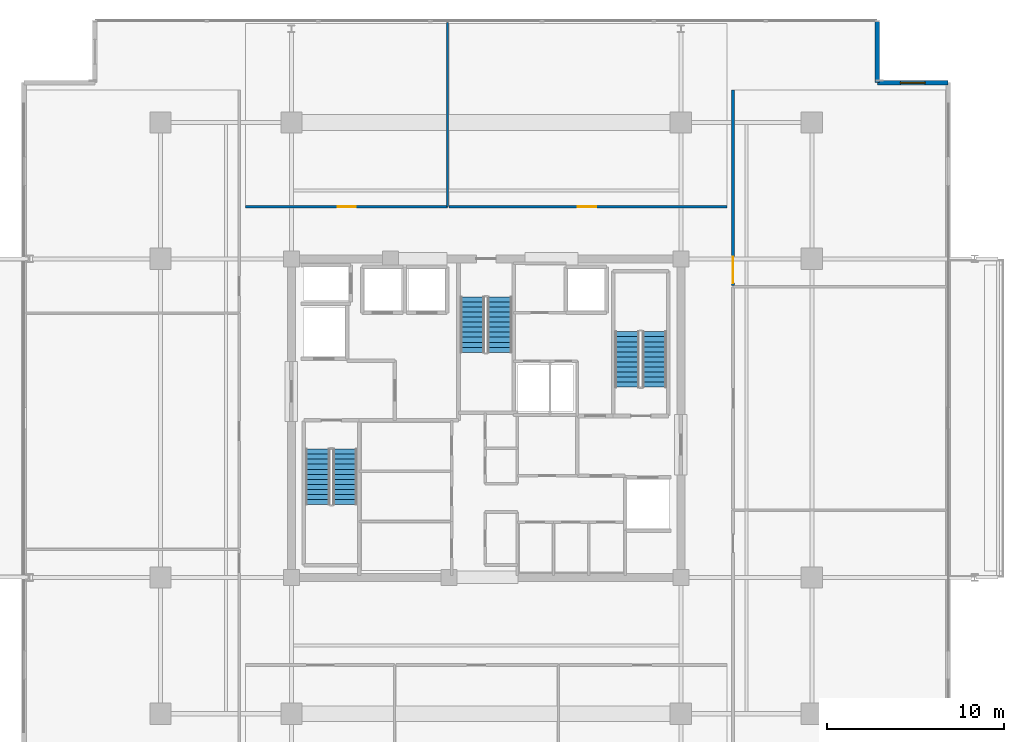
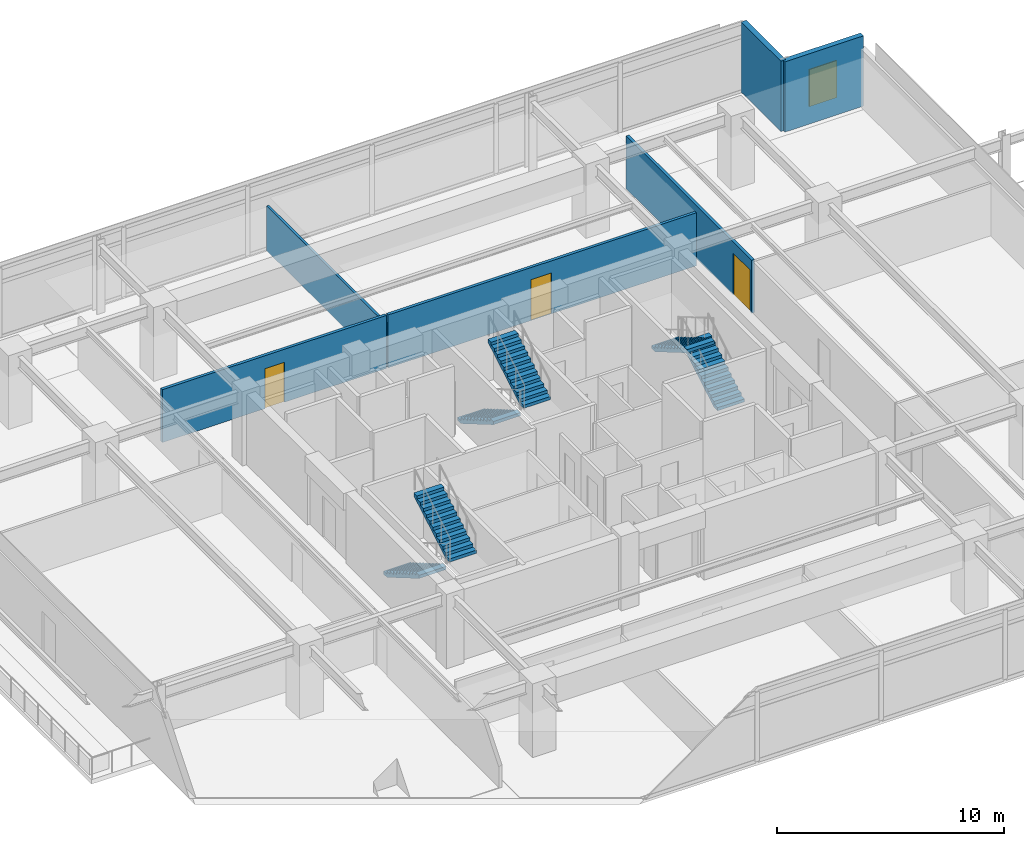
# One storey, part 20 of 24: 6 stair flights, 6 walls, 3 doors, 1 window, 4 openings, 3 elements without a shape of their own.
"""IFC4 building model written with IfcOpenShell, lengths in metres."""

import ifcopenshell
import ifcopenshell.guid

model = None  # the IFC model being written
_history = None  # IfcOwnerHistory: only IFC2X3 demands one
_inside = {}  # id of a spatial element -> (the spatial element, [elements in it])
_under = {}  # id of a project, library or spatial element -> (it, [spatial elements below it])
_declared = {}  # id of a project -> (the project, [libraries it declares])
_typed = {}  # id of a type object -> (the type object, [elements of that type])
_made_of = {}  # id of a material, layer set ... -> (it, [elements and type objects made of it])


def new_model(schema):
    """Start an empty IFC model of exactly this schema.

    Asked for "IFC4X3", IfcOpenShell would pick the latest addendum, in which some entities
    have other attributes; the version numbers below select the first issue.
    IFC2X3 requires an IfcOwnerHistory on every rooted entity: one is made here for all.
    """
    global model, _history
    if schema == "IFC4X3":
        model = ifcopenshell.file(schema_version=(4, 3, 0, 0))
    else:
        model = ifcopenshell.file(schema=schema)
    _inside.clear()
    _under.clear()
    _declared.clear()
    _typed.clear()
    _made_of.clear()
    _history = None
    if model.schema == "IFC2X3":
        org = make("IfcOrganization", Name="unknown")
        user = make(
            "IfcPersonAndOrganization",
            ThePerson=make("IfcPerson", FamilyName="unknown"),
            TheOrganization=org,
        )
        app = make(
            "IfcApplication",
            ApplicationDeveloper=org,
            Version="unknown",
            ApplicationFullName="unknown",
            ApplicationIdentifier="unknown",
        )
        _history = make(
            "IfcOwnerHistory",
            OwningUser=user,
            OwningApplication=app,
            ChangeAction="ADDED",
            CreationDate=0,
        )
    return model


def make(cls, **values):
    """One entity of the class cls with the attributes given. An attribute that is None is left unset."""
    return model.create_entity(
        cls, **{name: value for name, value in values.items() if value is not None}
    )


def rooted(cls, **values):
    """An entity with a GlobalId (a new one), such as an element, a storey or a relation."""
    return make(cls, GlobalId=ifcopenshell.guid.new(), OwnerHistory=_history, **values)


def si_unit(unit_type, name, prefix=None):
    """IfcSIUnit, for example si_unit("LENGTHUNIT", "METRE", prefix="MILLI")."""
    return make("IfcSIUnit", UnitType=unit_type, Prefix=prefix, Name=name)


def assignment(units):
    """IfcUnitAssignment: the units of a project."""
    return None if units is None else make("IfcUnitAssignment", Units=units)


def point(xyz):
    """IfcCartesianPoint."""
    return None if xyz is None else make("IfcCartesianPoint", Coordinates=xyz)


def direction(xyz):
    """IfcDirection."""
    return None if xyz is None else make("IfcDirection", DirectionRatios=xyz)


def frame(location, z_axis=None, x_axis=None):
    """IfcAxis2Placement3D, a coordinate frame: its origin and axes. An axis left out is left unset."""
    return make(
        "IfcAxis2Placement3D",
        Location=point(location),
        Axis=direction(z_axis),
        RefDirection=direction(x_axis),
    )


def frame_2d(location, x_axis=None):
    """IfcAxis2Placement2D, a coordinate frame in the plane: its origin and x axis."""
    return make(
        "IfcAxis2Placement2D", Location=point(location), RefDirection=direction(x_axis)
    )


def origin():
    """The frame at (0, 0, 0) with its axes left unset."""
    return frame((0.0, 0.0, 0.0))


def place(relative_to, where):
    """IfcLocalPlacement: puts the frame where relative to a parent placement (None: the world)."""
    return make(
        "IfcLocalPlacement", PlacementRelTo=relative_to, RelativePlacement=where
    )


def context(
    kind, dimensions, precision=None, world=None, true_north=None, identifier=None
):
    """IfcGeometricRepresentationContext, for example the 3D "Model" context."""
    return make(
        "IfcGeometricRepresentationContext",
        ContextIdentifier=identifier,
        ContextType=kind,
        CoordinateSpaceDimension=dimensions,
        Precision=precision,
        WorldCoordinateSystem=world,
        TrueNorth=true_north,
    )


def subcontext(parent, identifier, kind, view, scale=None):
    """IfcGeometricRepresentationSubContext, for example "Body" below "Model"."""
    return make(
        "IfcGeometricRepresentationSubContext",
        ContextIdentifier=identifier,
        ContextType=kind,
        ParentContext=parent,
        TargetScale=scale,
        TargetView=view,
    )


def project(units=None, contexts=None):
    """IfcProject with its units and contexts."""
    return rooted(
        "IfcProject",
        Name="project",
        RepresentationContexts=contexts,
        UnitsInContext=assignment(units),
    )


def spatial(cls, under=None, at=None, **own):
    """A site, building, storey or space (cls), placed at a placement, below another one or the project."""
    s = rooted(cls, ObjectPlacement=at, **own)
    if under is not None:
        _under.setdefault(under.id(), (under, []))[1].append(s)
    return s


def polyline(points):
    """IfcPolyline through the points."""
    return make("IfcPolyline", Points=[point(p) for p in points])


def profile(cls, at=None, kind="AREA", **sizes):
    """A parametric profile (cls). Its sizes go by their IFC names, for example OverallWidth=200.0."""
    return make(cls, ProfileType=kind, Position=at, **sizes)


def rectangle(**sizes):
    """IfcRectangleProfileDef."""
    return profile("IfcRectangleProfileDef", **sizes)


def outline(outer, holes=None, kind="AREA"):
    """IfcArbitraryClosedProfileDef: a profile drawn as a closed curve; with holes, ...WithVoids."""
    if holes is None:
        return make("IfcArbitraryClosedProfileDef", ProfileType=kind, OuterCurve=outer)
    return make(
        "IfcArbitraryProfileDefWithVoids",
        ProfileType=kind,
        OuterCurve=outer,
        InnerCurves=holes,
    )


def extrude(swept, where, along, depth):
    """IfcExtrudedAreaSolid: the profile swept, set in the frame where, extruded along a direction by depth."""
    return make(
        "IfcExtrudedAreaSolid",
        SweptArea=swept,
        Position=where,
        ExtrudedDirection=direction(along),
        Depth=depth,
    )


def shape(context_of_items, identifier, shape_type, items):
    """IfcShapeRepresentation: the items that make up one representation, for example the "Body"."""
    return make(
        "IfcShapeRepresentation",
        ContextOfItems=context_of_items,
        RepresentationIdentifier=identifier,
        RepresentationType=shape_type,
        Items=items,
    )


def material(Name=None, Category=None):
    """IfcMaterial."""
    return make("IfcMaterial", Name=Name, Category=Category)


def layer(
    of_material, thickness, ventilated=None, Name=None, Category=None, Priority=None
):
    """IfcMaterialLayer: one layer of a wall or slab, of a material (None: an air gap)."""
    return make(
        "IfcMaterialLayer",
        Material=of_material,
        LayerThickness=thickness,
        IsVentilated=ventilated,
        Name=Name,
        Category=Category,
        Priority=Priority,
    )


def layer_set(layers, Name=None):
    """IfcMaterialLayerSet."""
    return make("IfcMaterialLayerSet", MaterialLayers=layers, LayerSetName=Name)


def made_of(thing, what):
    """Note that an element or type object is made of a material, layer set ...; save() writes the relation."""
    if what is not None:
        _made_of.setdefault(what.id(), (what, []))[1].append(thing)
    return thing


def type_object(cls, material=None, **own):
    """A type object (cls), such as IfcWallType, which elements share."""
    return made_of(rooted(cls, **own), material)


def element(
    cls,
    number,
    at=None,
    inside=None,
    cuts=None,
    type_object=None,
    material=None,
    context=None,
    identifier="Body",
    shape_type=None,
    held_by="IfcProductDefinitionShape",
    body=None,
    shapes=None,
    **own,
):
    """One element of the class cls, such as IfcWall. Its Tag is "e" and its number.

    at: its placement. inside: the storey or other place that contains it. cuts: it is an
    opening in that element (IfcRelVoidsElement). A single representation is given by context,
    identifier, shape_type and body (its items); several are given by shapes. held_by: the class
    of the entity that holds the representations. save() writes the other relations.
    """
    e = rooted(cls, Tag="e%d" % number, ObjectPlacement=at, **own)
    if body is not None:
        shapes = [shape(context, identifier, shape_type, body)]
    if shapes is not None:
        e.Representation = make(held_by, Representations=shapes)
    if inside is not None:
        _inside.setdefault(inside.id(), (inside, []))[1].append(e)
    if cuts is not None:
        rooted(
            "IfcRelVoidsElement", RelatingBuildingElement=cuts, RelatedOpeningElement=e
        )
    if type_object is not None:
        _typed.setdefault(type_object.id(), (type_object, []))[1].append(e)
    return made_of(e, material)


def fill(opening, filler):
    """IfcRelFillsElement: the door or window that sits in an opening."""
    return rooted(
        "IfcRelFillsElement",
        RelatingOpeningElement=opening,
        RelatedBuildingElement=filler,
    )


def aggregate(whole, parts):
    """IfcRelAggregates: a whole, such as a stair, and the parts it consists of."""
    return rooted("IfcRelAggregates", RelatingObject=whole, RelatedObjects=parts)


def save(model, path):
    """Write the relations noted so far, then the file.

    IfcRelAggregates (storeys below a building ...), IfcRelContainedInSpatialStructure (elements
    in a storey), IfcRelDefinesByType, IfcRelAssociatesMaterial and IfcRelDeclares: one each for
    every whole, place, type object, material and project.
    """
    for whole, parts in _under.values():
        aggregate(whole, parts)
    for where, things in _inside.values():
        rooted(
            "IfcRelContainedInSpatialStructure",
            RelatedElements=things,
            RelatingStructure=where,
        )
    for kind, things in _typed.values():
        rooted("IfcRelDefinesByType", RelatedObjects=things, RelatingType=kind)
    for what, things in _made_of.values():
        rooted("IfcRelAssociatesMaterial", RelatedObjects=things, RelatingMaterial=what)
    for by, libraries in _declared.values():
        rooted("IfcRelDeclares", RelatingContext=by, RelatedDefinitions=libraries)
    model.write(path)


model = new_model("IFC4")

# Units and contexts
model_context = context("Model", 3, precision=1e-05, world=origin(), true_north=direction((0.0, 1.0)))
body_context = subcontext(model_context, "Body", "Model", "MODEL_VIEW")
ifc_project = project(units=[si_unit("LENGTHUNIT", "METRE"), si_unit("AREAUNIT", "SQUARE_METRE"), si_unit("VOLUMEUNIT", "CUBIC_METRE"), si_unit("PLANEANGLEUNIT", "RADIAN"), si_unit("MASSUNIT", "GRAM", prefix="KILO")], contexts=[model_context])

# Site, building, storey
site_placement = place(None, origin())
site = spatial("IfcSite", under=ifc_project, at=site_placement, CompositionType="ELEMENT")
building_placement = place(site_placement, origin())
building = spatial("IfcBuilding", under=site, at=building_placement, Name="Kovane Verandah Tower", CompositionType="ELEMENT")
storey_placement = place(building_placement, frame((0.0, 0.0, 271.199951171875)))
storey = spatial("IfcBuildingStorey", under=building, at=storey_placement, Name="L63", CompositionType="ELEMENT", Elevation=271.199951171875)

# Wall, opening, door
ifc_material_1 = material(Name="Fire-Rated Gypsum Stud Partition", Category="gypsum")
ifc_layer_1 = layer(ifc_material_1, 0.14990234375)
ifc_layer_set_1 = layer_set([ifc_layer_1], Name="Fire-Rated Gypsum Stud Partition")
wall_type_1 = type_object("IfcWallType", Name="WL-COR-150", PredefinedType="PARTITIONING", material=ifc_layer_set_1)
wall_1_placement = place(storey_placement, frame((26.39990234375, 39.449951171875, 0.0), z_axis=(0.0, 0.0, 1.0), x_axis=(1.0, 0.0, 0.0)))
wall_1 = element("IfcWall", 1, at=wall_1_placement, inside=storey, type_object=wall_type_1, Name="L63 Open Plan Office N1 Corridor Partition", PredefinedType="PARTITIONING", context=body_context, shape_type="SweptSolid", body=[
    extrude(rectangle(XDim=11.424072265625, YDim=0.14990234375, at=frame_2d((5.7119140625, 0.0))), origin(), (0.0, 0.0, 1.0), 2.85009765625),
])
opening_1_placement = place(wall_1_placement, frame((5.22705078125, 0.0, 0.0)))
opening_1 = element("IfcOpeningElement", 2, at=opening_1_placement, cuts=wall_1, Name="Opening DR-L63-024", PredefinedType="OPENING", context=body_context, shape_type="SweptSolid", body=[
    extrude(rectangle(XDim=1.0, YDim=2.14990234375, at=frame_2d((0.5, 1.074951171875))), frame((0.0, 0.074951171875, 0.0), z_axis=(0.0, -1.0, 0.0), x_axis=(1.0, 0.0, 0.0)), (0.0, 0.0, 1.0), 0.14990234375),
])
ifc_material_2 = material(Name="FSC Spotted-Gum Timber Fire-Rated Office Door", Category="wood")
door_type_1 = type_object("IfcDoorType", Name="DR-OFF-1000", OperationType="SINGLE_SWING_LEFT", PredefinedType="DOOR", material=ifc_material_2)
door_1_placement = place(opening_1_placement, origin())
door_1 = element("IfcDoor", 3, at=door_1_placement, inside=storey, type_object=door_type_1, Name="L63 Open Plan Office N1 Entrance Door", OperationType="SINGLE_SWING_RIGHT", OverallHeight=2.14990234375, OverallWidth=1.0, PredefinedType="DOOR", context=body_context, shape_type="SweptSolid", body=[
    extrude(rectangle(XDim=1.0, YDim=2.14990234375, at=frame_2d((0.5, 1.074951171875))), frame((0.0, 0.02490234375, 0.0), z_axis=(0.0, -1.0, 0.0), x_axis=(1.0, 0.0, 0.0)), (0.0, 0.0, 1.0), 0.050048828125),
])
fill(opening_1, door_1)

wall_2_placement = place(storey_placement, frame((37.89404296875, 39.449951171875, 0.0), z_axis=(0.0, 0.0, 1.0), x_axis=(1.0, 0.0, 0.0)))
wall_2 = element("IfcWall", 4, at=wall_2_placement, inside=storey, type_object=wall_type_1, Name="L63 Executive Office N2 Corridor Partition", PredefinedType="PARTITIONING", context=body_context, shape_type="SweptSolid", body=[
    extrude(rectangle(XDim=15.7060546875, YDim=0.14990234375, at=frame_2d((7.85302734375, 0.0))), origin(), (0.0, 0.0, 1.0), 2.85009765625),
])
opening_2_placement = place(wall_2_placement, frame((7.278076171875, 0.0, 0.0)))
opening_2 = element("IfcOpeningElement", 5, at=opening_2_placement, cuts=wall_2, Name="Opening DR-L63-025", PredefinedType="OPENING", context=body_context, shape_type="SweptSolid", body=[
    extrude(rectangle(XDim=1.050048828125, YDim=2.199951171875, at=frame_2d((0.52490234375, 1.10009765625))), frame((0.0, 0.074951171875, 0.0), z_axis=(0.0, -1.0, 0.0), x_axis=(1.0, 0.0, 0.0)), (0.0, 0.0, 1.0), 0.14990234375),
])
ifc_material_3 = material(Name="FSC Blackbutt Timber Fire-Rated Executive Door", Category="wood")
door_type_2 = type_object("IfcDoorType", Name="DR-EXEC-1050", OperationType="SINGLE_SWING_LEFT", PredefinedType="DOOR", material=ifc_material_3)
door_2_placement = place(opening_2_placement, origin())
door_2 = element("IfcDoor", 6, at=door_2_placement, inside=storey, type_object=door_type_2, Name="L63 Executive Office N2 Entrance Door", OperationType="SINGLE_SWING_LEFT", OverallHeight=2.199951171875, OverallWidth=1.050048828125, PredefinedType="DOOR", context=body_context, shape_type="SweptSolid", body=[
    extrude(rectangle(XDim=1.050048828125, YDim=2.199951171875, at=frame_2d((0.52490234375, 1.10009765625))), frame((0.0, 0.02490234375, 0.0), z_axis=(0.0, -1.0, 0.0), x_axis=(1.0, 0.0, 0.0)), (0.0, 0.0, 1.0), 0.050048828125),
])
fill(opening_2, door_2)

wall_3_placement = place(storey_placement, frame((53.949951171875, 34.98974609375, 0.0), z_axis=(0.0, 0.0, 1.0), x_axis=(0.0, 1.0, 0.0)))
wall_3 = element("IfcWall", 7, at=wall_3_placement, inside=storey, type_object=wall_type_1, Name="L63 Client Boardroom E3 Corridor Partition", PredefinedType="PARTITIONING", context=body_context, shape_type="SweptSolid", body=[
    extrude(rectangle(XDim=11.059814453125, YDim=0.14990234375, at=frame_2d((5.52978515625, 0.0))), origin(), (0.0, 0.0, 1.0), 2.85009765625),
])
opening_3_placement = place(wall_3_placement, frame((0.139892578125, 0.0, 0.0)))
opening_3 = element("IfcOpeningElement", 8, at=opening_3_placement, cuts=wall_3, Name="Opening DR-L63-013", PredefinedType="OPENING", context=body_context, shape_type="SweptSolid", body=[
    extrude(rectangle(XDim=1.5, YDim=2.25, at=frame_2d((0.75, 1.125))), frame((0.0, 0.074951171875, 0.0), z_axis=(0.0, -1.0, 0.0), x_axis=(1.0, 0.0, 0.0)), (0.0, 0.0, 1.0), 0.14990234375),
])
ifc_material_4 = material(Name="Glazed Timber Fire-Rated Double Door", Category="wood")
door_type_3 = type_object("IfcDoorType", Name="DR-CONF-1500", OperationType="DOUBLE_DOOR_SINGLE_SWING", PredefinedType="DOOR", material=ifc_material_4)
door_3_placement = place(opening_3_placement, origin())
door_3 = element("IfcDoor", 9, at=door_3_placement, inside=storey, type_object=door_type_3, Name="L63 Client Boardroom E3 Entrance Door", OperationType="DOUBLE_DOOR_SINGLE_SWING", OverallHeight=2.25, OverallWidth=1.5, PredefinedType="DOOR", context=body_context, shape_type="SweptSolid", body=[
    extrude(rectangle(XDim=1.5, YDim=2.25, at=frame_2d((0.75, 1.125))), frame((0.0, 0.02490234375, 0.0), z_axis=(0.0, -1.0, 0.0), x_axis=(1.0, 0.0, 0.0)), (0.0, 0.0, 1.0), 0.050048828125),
])
fill(opening_3, door_3)

# Wall
ifc_material_5 = material(Name="Acoustic Fire-Rated Gypsum Partition", Category="gypsum")
ifc_layer_2 = layer(ifc_material_5, 0.1201171875)
ifc_layer_set_2 = layer_set([ifc_layer_2], Name="Acoustic Fire-Rated Gypsum Partition")
wall_type_2 = type_object("IfcWallType", Name="WL-PART-120", PredefinedType="PARTITIONING", material=ifc_layer_set_2)
wall_4_placement = place(storey_placement, frame((37.823974609375, 39.449951171875, 0.0), z_axis=(0.0, 0.0, 1.0), x_axis=(0.0, 1.0, 0.0)))
element("IfcWall", 10, at=wall_4_placement, inside=storey, type_object=wall_type_2, Name="L63 Open Plan Office N1 Dividing Partition", PredefinedType="PARTITIONING", context=body_context, shape_type="SweptSolid", body=[
    extrude(rectangle(XDim=10.399658203125, YDim=0.1201171875, at=frame_2d((5.19970703125, 0.0))), origin(), (0.0, 0.0, 1.0), 2.4150390625),
])

# Wall, opening, window
ifc_material_6 = material(Name="Concrete C45/55 Insulated Spandrel Wall", Category="concrete")
ifc_layer_3 = layer(ifc_material_6, 0.260009765625)
ifc_layer_set_3 = layer_set([ifc_layer_3], Name="Concrete C45/55 Insulated Spandrel Wall")
wall_type_3 = type_object("IfcWallType", Name="WL-SPANDREL-260", PredefinedType="PARAPET", material=ifc_layer_set_3)
wall_5_placement = place(storey_placement, frame((66.107177734375, 46.44970703125, 0.0), z_axis=(0.0, 0.0, 1.0), x_axis=(-1.0, 0.0, 0.0)))
wall_5 = element("IfcWall", 11, at=wall_5_placement, inside=storey, type_object=wall_type_3, Name="L63 NE Notch Cheek Wall 1", PredefinedType="PARAPET", context=body_context, shape_type="SweptSolid", body=[
    extrude(rectangle(XDim=4.0, YDim=0.260009765625, at=frame_2d((2.0, 0.0))), origin(), (0.0, 0.0, 1.0), 3.78515625),
])
opening_4_placement = place(wall_5_placement, frame((1.300048828125, 0.0, 0.85009765625)))
opening_4 = element("IfcOpeningElement", 12, at=opening_4_placement, cuts=wall_5, Name="Opening W-01", PredefinedType="OPENING", context=body_context, shape_type="SweptSolid", body=[
    extrude(rectangle(XDim=1.39990234375, YDim=2.0, at=frame_2d((0.699951171875, 1.0))), frame((0.0, 0.1298828125, 0.0), z_axis=(0.0, -1.0, 0.0), x_axis=(1.0, 0.0, 0.0)), (0.0, 0.0, 1.0), 0.260009765625),
])
ifc_material_7 = material(Name="Clear Low-E Laminated Double Glazing in Anodised Frame", Category="glass")
window_type = type_object("IfcWindowType", Name="WN-OPER-1400x2000", PartitioningType="SINGLE_PANEL", PredefinedType="WINDOW", material=ifc_material_7)
window_placement = place(opening_4_placement, origin())
window = element("IfcWindow", 13, at=window_placement, inside=storey, type_object=window_type, Name="L63 NE Re-Entrant Corner Operable Window", OverallHeight=2.0, OverallWidth=1.39990234375, PartitioningType="SINGLE_PANEL", PredefinedType="WINDOW", context=body_context, shape_type="SweptSolid", body=[
    extrude(rectangle(XDim=1.39990234375, YDim=2.0, at=frame_2d((0.699951171875, 1.0))), frame((0.0, 0.030029296875, 0.0), z_axis=(0.0, -1.0, 0.0), x_axis=(1.0, 0.0, 0.0)), (0.0, 0.0, 1.0), 0.06005859375),
])
fill(opening_4, window)

# Wall
wall_6_placement = place(storey_placement, frame((62.107177734375, 46.44970703125, 0.0), z_axis=(0.0, 0.0, 1.0), x_axis=(0.0, 1.0, 0.0)))
element("IfcWall", 14, at=wall_6_placement, inside=storey, type_object=wall_type_3, Name="L63 NE Notch Cheek Wall 2", PredefinedType="PARAPET", context=body_context, shape_type="SweptSolid", body=[
    extrude(rectangle(XDim=3.5, YDim=0.260009765625, at=frame_2d((1.75, 0.0))), origin(), (0.0, 0.0, 1.0), 3.78515625),
])

# Stair, stair flights
ifc_material_8 = material(Name="Concrete C45/55", Category="concrete")
stair_type = type_object("IfcStairType", Name="ST-CORE-1380", PredefinedType="HALF_TURN_STAIR", material=ifc_material_8)
stair_1_placement = place(storey_placement, origin())
stair_1 = element("IfcStair", 15, at=stair_1_placement, inside=storey, type_object=stair_type, Name="L63 Exit Stair ST-01", PredefinedType="HALF_TURN_STAIR")
stair_flight_type = type_object("IfcStairFlightType", Name="STF-CORE-1380", PredefinedType="STRAIGHT", material=ifc_material_8)
stair_flight_1_placement = place(storey_placement, frame((30.489990234375, 25.75, 0.0), z_axis=(0.0, 0.0, 1.0), x_axis=(0.0, -1.0, 0.0)))
stair_flight_1 = element("IfcStairFlight", 16, at=stair_flight_1_placement, type_object=stair_flight_type, Name="ST-01 flight 1", NumberOfRisers=12, NumberOfTreads=11, PredefinedType="STRAIGHT", RiserHeight=0.166666667, TreadLength=0.285, context=body_context, shape_type="SweptSolid", body=[
    extrude(outline(polyline([(0.0, 0.0), (0.0, 0.166748046875), (0.284912109375, 0.166748046875), (0.284912109375, 0.333251953125), (0.570068359375, 0.333251953125), (0.570068359375, 0.5), (0.85498046875, 0.5), (0.85498046875, 0.666748046875), (1.139892578125, 0.666748046875), (1.139892578125, 0.833251953125), (1.425048828125, 0.833251953125), (1.425048828125, 1.0), (1.7099609375, 1.0), (1.7099609375, 1.166748046875), (1.9951171875, 1.166748046875), (1.9951171875, 1.333251953125), (2.280029296875, 1.333251953125), (2.280029296875, 1.5), (2.56494140625, 1.5), (2.56494140625, 1.666748046875), (2.85009765625, 1.666748046875), (2.85009765625, 1.833251953125), (3.135009765625, 1.833251953125), (3.135009765625, 2.0), (3.135009765625, 1.65966796875), (0.296875, 0.0), (0.0, 0.0)])), frame((0.0, 0.68994140625, 0.0), z_axis=(0.0, -1.0, 0.0), x_axis=(1.0, 0.0, 0.0)), (0.0, 0.0, 1.0), 1.3798828125),
])
stair_flight_2_placement = place(storey_placement, frame((32.030029296875, 22.614990234375, 2.0), z_axis=(0.0, 0.0, 1.0), x_axis=(0.0, 1.0, 0.0)))
stair_flight_2 = element("IfcStairFlight", 17, at=stair_flight_2_placement, type_object=stair_flight_type, Name="ST-01 flight 2", NumberOfRisers=12, NumberOfTreads=11, PredefinedType="STRAIGHT", RiserHeight=0.166666667, TreadLength=0.285, context=body_context, shape_type="SweptSolid", body=[
    extrude(outline(polyline([(0.0, 0.0), (0.0, 0.166748046875), (0.284912109375, 0.166748046875), (0.284912109375, 0.333251953125), (0.570068359375, 0.333251953125), (0.570068359375, 0.5), (0.85498046875, 0.5), (0.85498046875, 0.666748046875), (1.139892578125, 0.666748046875), (1.139892578125, 0.833251953125), (1.425048828125, 0.833251953125), (1.425048828125, 1.0), (1.7099609375, 1.0), (1.7099609375, 1.166748046875), (1.9951171875, 1.166748046875), (1.9951171875, 1.333251953125), (2.280029296875, 1.333251953125), (2.280029296875, 1.5), (2.56494140625, 1.5), (2.56494140625, 1.666748046875), (2.85009765625, 1.666748046875), (2.85009765625, 1.833251953125), (3.135009765625, 1.833251953125), (3.135009765625, 2.0), (3.135009765625, 1.65966796875), (0.296875, 0.0), (0.0, 0.0)])), frame((0.0, 0.68994140625, 0.0), z_axis=(0.0, -1.0, 0.0), x_axis=(1.0, 0.0, 0.0)), (0.0, 0.0, 1.0), 1.3798828125),
])
aggregate(stair_1, [stair_flight_1, stair_flight_2])

stair_2_placement = place(storey_placement, origin())
stair_2 = element("IfcStair", 18, at=stair_2_placement, inside=storey, type_object=stair_type, Name="L63 Exit Stair ST-02", PredefinedType="HALF_TURN_STAIR")
stair_flight_3_placement = place(storey_placement, frame((49.510009765625, 29.25, 0.0), z_axis=(0.0, 0.0, 1.0), x_axis=(0.0, 1.0, 0.0)))
stair_flight_3 = element("IfcStairFlight", 19, at=stair_flight_3_placement, type_object=stair_flight_type, Name="ST-02 flight 1", NumberOfRisers=12, NumberOfTreads=11, PredefinedType="STRAIGHT", RiserHeight=0.166666667, TreadLength=0.285, context=body_context, shape_type="SweptSolid", body=[
    extrude(outline(polyline([(0.0, 0.0), (0.0, 0.166748046875), (0.284912109375, 0.166748046875), (0.284912109375, 0.333251953125), (0.570068359375, 0.333251953125), (0.570068359375, 0.5), (0.85498046875, 0.5), (0.85498046875, 0.666748046875), (1.139892578125, 0.666748046875), (1.139892578125, 0.833251953125), (1.425048828125, 0.833251953125), (1.425048828125, 1.0), (1.7099609375, 1.0), (1.7099609375, 1.166748046875), (1.9951171875, 1.166748046875), (1.9951171875, 1.333251953125), (2.280029296875, 1.333251953125), (2.280029296875, 1.5), (2.56494140625, 1.5), (2.56494140625, 1.666748046875), (2.85009765625, 1.666748046875), (2.85009765625, 1.833251953125), (3.135009765625, 1.833251953125), (3.135009765625, 2.0), (3.135009765625, 1.65966796875), (0.296875, 0.0), (0.0, 0.0)])), frame((0.0, 0.68994140625, 0.0), z_axis=(0.0, -1.0, 0.0), x_axis=(1.0, 0.0, 0.0)), (0.0, 0.0, 1.0), 1.3798828125),
])
stair_flight_4_placement = place(storey_placement, frame((47.969970703125, 32.385009765625, 2.0), z_axis=(0.0, 0.0, 1.0), x_axis=(0.0, -1.0, 0.0)))
stair_flight_4 = element("IfcStairFlight", 20, at=stair_flight_4_placement, type_object=stair_flight_type, Name="ST-02 flight 2", NumberOfRisers=12, NumberOfTreads=11, PredefinedType="STRAIGHT", RiserHeight=0.166666667, TreadLength=0.285, context=body_context, shape_type="SweptSolid", body=[
    extrude(outline(polyline([(0.0, 0.0), (0.0, 0.166748046875), (0.284912109375, 0.166748046875), (0.284912109375, 0.333251953125), (0.570068359375, 0.333251953125), (0.570068359375, 0.5), (0.85498046875, 0.5), (0.85498046875, 0.666748046875), (1.139892578125, 0.666748046875), (1.139892578125, 0.833251953125), (1.425048828125, 0.833251953125), (1.425048828125, 1.0), (1.7099609375, 1.0), (1.7099609375, 1.166748046875), (1.9951171875, 1.166748046875), (1.9951171875, 1.333251953125), (2.280029296875, 1.333251953125), (2.280029296875, 1.5), (2.56494140625, 1.5), (2.56494140625, 1.666748046875), (2.85009765625, 1.666748046875), (2.85009765625, 1.833251953125), (3.135009765625, 1.833251953125), (3.135009765625, 2.0), (3.135009765625, 1.65966796875), (0.296875, 0.0), (0.0, 0.0)])), frame((0.0, 0.68994140625, 0.0), z_axis=(0.0, -1.0, 0.0), x_axis=(1.0, 0.0, 0.0)), (0.0, 0.0, 1.0), 1.3798828125),
])
aggregate(stair_2, [stair_flight_3, stair_flight_4])

stair_3_placement = place(storey_placement, origin())
stair_3 = element("IfcStair", 21, at=stair_3_placement, inside=storey, type_object=stair_type, Name="L63 Exit Stair ST-03", PredefinedType="HALF_TURN_STAIR")
stair_flight_5_placement = place(storey_placement, frame((39.22998046875, 34.35009765625, 0.0), z_axis=(0.0, 0.0, 1.0), x_axis=(0.0, -1.0, 0.0)))
stair_flight_5 = element("IfcStairFlight", 22, at=stair_flight_5_placement, type_object=stair_flight_type, Name="ST-03 flight 1", NumberOfRisers=12, NumberOfTreads=11, PredefinedType="STRAIGHT", RiserHeight=0.166666667, TreadLength=0.285, context=body_context, shape_type="SweptSolid", body=[
    extrude(outline(polyline([(0.0, 0.0), (0.0, 0.166748046875), (0.284912109375, 0.166748046875), (0.284912109375, 0.333251953125), (0.570068359375, 0.333251953125), (0.570068359375, 0.5), (0.85498046875, 0.5), (0.85498046875, 0.666748046875), (1.139892578125, 0.666748046875), (1.139892578125, 0.833251953125), (1.425048828125, 0.833251953125), (1.425048828125, 1.0), (1.7099609375, 1.0), (1.7099609375, 1.166748046875), (1.9951171875, 1.166748046875), (1.9951171875, 1.333251953125), (2.280029296875, 1.333251953125), (2.280029296875, 1.5), (2.56494140625, 1.5), (2.56494140625, 1.666748046875), (2.85009765625, 1.666748046875), (2.85009765625, 1.833251953125), (3.135009765625, 1.833251953125), (3.135009765625, 2.0), (3.135009765625, 1.65966796875), (0.296875, 0.0), (0.0, 0.0)])), frame((0.0, 0.68994140625, 0.0), z_axis=(0.0, -1.0, 0.0), x_axis=(1.0, 0.0, 0.0)), (0.0, 0.0, 1.0), 1.3798828125),
])
stair_flight_6_placement = place(storey_placement, frame((40.77001953125, 31.215087890625, 2.0), z_axis=(0.0, 0.0, 1.0), x_axis=(0.0, 1.0, 0.0)))
stair_flight_6 = element("IfcStairFlight", 23, at=stair_flight_6_placement, type_object=stair_flight_type, Name="ST-03 flight 2", NumberOfRisers=12, NumberOfTreads=11, PredefinedType="STRAIGHT", RiserHeight=0.166666667, TreadLength=0.285, context=body_context, shape_type="SweptSolid", body=[
    extrude(outline(polyline([(0.0, 0.0), (0.0, 0.166748046875), (0.284912109375, 0.166748046875), (0.284912109375, 0.333251953125), (0.570068359375, 0.333251953125), (0.570068359375, 0.5), (0.85498046875, 0.5), (0.85498046875, 0.666748046875), (1.139892578125, 0.666748046875), (1.139892578125, 0.833251953125), (1.425048828125, 0.833251953125), (1.425048828125, 1.0), (1.7099609375, 1.0), (1.7099609375, 1.166748046875), (1.9951171875, 1.166748046875), (1.9951171875, 1.333251953125), (2.280029296875, 1.333251953125), (2.280029296875, 1.5), (2.56494140625, 1.5), (2.56494140625, 1.666748046875), (2.85009765625, 1.666748046875), (2.85009765625, 1.833251953125), (3.135009765625, 1.833251953125), (3.135009765625, 2.0), (3.135009765625, 1.65966796875), (0.296875, 0.0), (0.0, 0.0)])), frame((0.0, 0.68994140625, 0.0), z_axis=(0.0, -1.0, 0.0), x_axis=(1.0, 0.0, 0.0)), (0.0, 0.0, 1.0), 1.3798828125),
])
aggregate(stair_3, [stair_flight_5, stair_flight_6])

save(model, "model.ifc")
